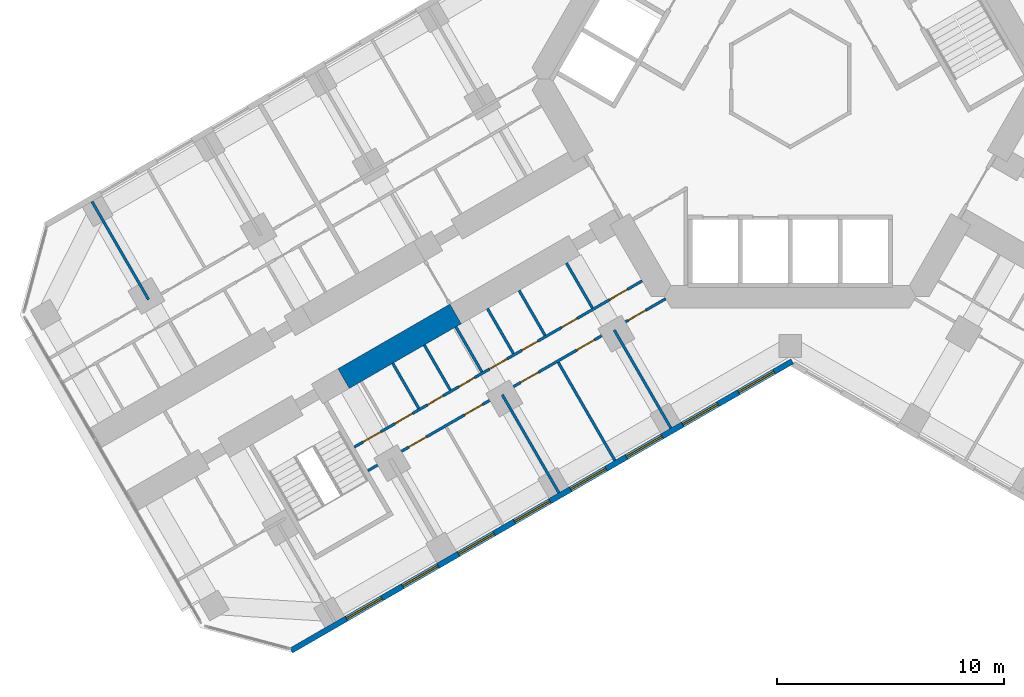
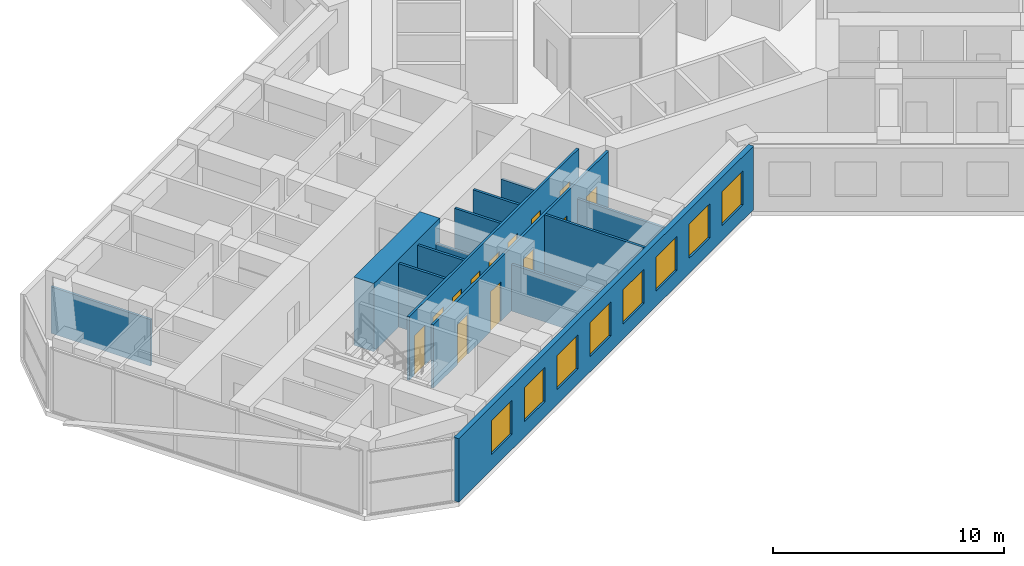
# One storey, part 11 of 21: 14 walls, 13 doors, 8 windows, 21 openings.
"""IFC4 building model written with IfcOpenShell, lengths in metres."""

from ifc_helpers import new_model, si_unit, direction, frame, frame_2d, origin, place, context, subcontext, project, spatial, rectangle, extrude, material, layer, layer_set, type_object, element, fill, save


model = new_model("IFC4")

# Units and contexts
model_context = context("Model", 3, precision=1e-05, world=origin(), true_north=direction((0.0, 1.0)))
body_context = subcontext(model_context, "Body", "Model", "MODEL_VIEW")
ifc_project = project(units=[si_unit("LENGTHUNIT", "METRE"), si_unit("AREAUNIT", "SQUARE_METRE"), si_unit("VOLUMEUNIT", "CUBIC_METRE"), si_unit("PLANEANGLEUNIT", "RADIAN"), si_unit("MASSUNIT", "GRAM", prefix="KILO")], contexts=[model_context])

# Site, building, storey
site_placement = place(None, origin())
site = spatial("IfcSite", under=ifc_project, at=site_placement, CompositionType="ELEMENT")
building_placement = place(site_placement, origin())
building = spatial("IfcBuilding", under=site, at=building_placement, Name="Kosmar Iwan School Tower", CompositionType="ELEMENT")
storey_placement = place(building_placement, frame((0.0, 0.0, 61.0)))
storey = spatial("IfcBuildingStorey", under=building, at=storey_placement, Name="L14", CompositionType="ELEMENT", Elevation=61.0)

# Wall
ifc_material_1 = material(Name="Concrete C50/60", Category="concrete")
ifc_layer_1 = layer(ifc_material_1, 1.0)
ifc_layer_set_1 = layer_set([ifc_layer_1], Name="Corridor buttress wall 1000")
wall_type_1 = type_object("IfcWallType", Name="Corridor buttress wall 1000", PredefinedType="SHEAR", material=ifc_layer_set_1)
wall_1_placement = place(storey_placement, frame((-14.7451171875, -10.360595703125, 0.0), z_axis=(0.0, 0.0, 1.0), x_axis=(-0.866015111908, -0.50001782563, 0.0)))
element("IfcWall", 1, at=wall_1_placement, inside=storey, type_object=wall_type_1, Name="Corridor wall BL bay 2", PredefinedType="SHEAR", context=body_context, shape_type="SweptSolid", body=[
    extrude(rectangle(XDim=5.699951171875, YDim=1.0, at=frame_2d((2.85009765625, 0.0))), origin(), (0.0, 0.0, 1.0), 3.60009765625),
])

# Wall, openings, doors
ifc_material_2 = material(Name="Gypsum board on steel studs", Category="steel")
ifc_layer_2 = layer(ifc_material_2, 0.1201171875)
ifc_layer_set_2 = layer_set([ifc_layer_2], Name="Dwelling partition 120")
wall_type_2 = type_object("IfcWallType", Name="Dwelling partition 120", PredefinedType="PARTITIONING", material=ifc_layer_set_2)
wall_2_placement = place(storey_placement, frame((-6.521728515625, -8.90380859375, 0.0), z_axis=(0.0, 0.0, 1.0), x_axis=(-0.866030734856, -0.4999907662, 0.0)))
wall_2 = element("IfcWall", 2, at=wall_2_placement, inside=storey, type_object=wall_type_2, Name="Partition L14-BL1-W1", PredefinedType="PARTITIONING", context=body_context, shape_type="SweptSolid", body=[
    extrude(rectangle(XDim=14.650146484375, YDim=0.1201171875, at=frame_2d((7.3251953125, 0.0))), origin(), (0.0, 0.0, 1.0), 3.35009765625),
])
opening_1_placement = place(wall_2_placement, frame((0.75, 0.0, 0.0)))
opening_1 = element("IfcOpeningElement", 3, at=opening_1_placement, cuts=wall_2, Name="Opening D2", PredefinedType="OPENING", context=body_context, shape_type="SweptSolid", body=[
    extrude(rectangle(XDim=0.89990234375, YDim=2.10009765625, at=frame_2d((0.449951171875, 1.050048828125))), frame((0.0, 0.072021484375, 0.0), z_axis=(0.0, -1.0, 0.0), x_axis=(1.0, 0.0, 0.0)), (0.0, 0.0, 1.0), 0.14404296875),
])
opening_2_placement = place(wall_2_placement, frame((3.304931640625, 0.0, 0.0)))
opening_2 = element("IfcOpeningElement", 4, at=opening_2_placement, cuts=wall_2, Name="Opening D3", PredefinedType="OPENING", context=body_context, shape_type="SweptSolid", body=[
    extrude(rectangle(XDim=0.800048828125, YDim=2.10009765625, at=frame_2d((0.39990234375, 1.050048828125))), frame((0.0, 0.072021484375, 0.0), z_axis=(0.0, -1.0, 0.0), x_axis=(1.0, 0.0, 0.0)), (0.0, 0.0, 1.0), 0.14404296875),
])
opening_3_placement = place(wall_2_placement, frame((5.313232421875, 0.0, 0.0)))
opening_3 = element("IfcOpeningElement", 5, at=opening_3_placement, cuts=wall_2, Name="Opening D3", PredefinedType="OPENING", context=body_context, shape_type="SweptSolid", body=[
    extrude(rectangle(XDim=0.800048828125, YDim=2.10009765625, at=frame_2d((0.39990234375, 1.050048828125))), frame((0.0, 0.072021484375, 0.0), z_axis=(0.0, -1.0, 0.0), x_axis=(1.0, 0.0, 0.0)), (0.0, 0.0, 1.0), 0.14404296875),
])
opening_4_placement = place(wall_2_placement, frame((6.8701171875, 0.0, 0.0)))
opening_4 = element("IfcOpeningElement", 6, at=opening_4_placement, cuts=wall_2, Name="Opening D2", PredefinedType="OPENING", context=body_context, shape_type="SweptSolid", body=[
    extrude(rectangle(XDim=0.89990234375, YDim=2.10009765625, at=frame_2d((0.449951171875, 1.050048828125))), frame((0.0, 0.072021484375, 0.0), z_axis=(0.0, -1.0, 0.0), x_axis=(1.0, 0.0, 0.0)), (0.0, 0.0, 1.0), 0.14404296875),
])
opening_5_placement = place(wall_2_placement, frame((8.526611328125, 0.0, 0.0)))
opening_5 = element("IfcOpeningElement", 7, at=opening_5_placement, cuts=wall_2, Name="Opening D3", PredefinedType="OPENING", context=body_context, shape_type="SweptSolid", body=[
    extrude(rectangle(XDim=0.800048828125, YDim=2.10009765625, at=frame_2d((0.39990234375, 1.050048828125))), frame((0.0, 0.072021484375, 0.0), z_axis=(0.0, -1.0, 0.0), x_axis=(1.0, 0.0, 0.0)), (0.0, 0.0, 1.0), 0.14404296875),
])
opening_6_placement = place(wall_2_placement, frame((10.13330078125, 0.0, 0.0)))
opening_6 = element("IfcOpeningElement", 8, at=opening_6_placement, cuts=wall_2, Name="Opening D3", PredefinedType="OPENING", context=body_context, shape_type="SweptSolid", body=[
    extrude(rectangle(XDim=0.800048828125, YDim=2.10009765625, at=frame_2d((0.39990234375, 1.050048828125))), frame((0.0, 0.072021484375, 0.0), z_axis=(0.0, -1.0, 0.0), x_axis=(1.0, 0.0, 0.0)), (0.0, 0.0, 1.0), 0.14404296875),
])
opening_7_placement = place(wall_2_placement, frame((11.68994140625, 0.0, 0.0)))
opening_7 = element("IfcOpeningElement", 9, at=opening_7_placement, cuts=wall_2, Name="Opening D2", PredefinedType="OPENING", context=body_context, shape_type="SweptSolid", body=[
    extrude(rectangle(XDim=0.89990234375, YDim=2.10009765625, at=frame_2d((0.449951171875, 1.050048828125))), frame((0.0, 0.072021484375, 0.0), z_axis=(0.0, -1.0, 0.0), x_axis=(1.0, 0.0, 0.0)), (0.0, 0.0, 1.0), 0.14404296875),
])
opening_8_placement = place(wall_2_placement, frame((13.296630859375, 0.0, 0.0)))
opening_8 = element("IfcOpeningElement", 10, at=opening_8_placement, cuts=wall_2, Name="Opening D2", PredefinedType="OPENING", context=body_context, shape_type="SweptSolid", body=[
    extrude(rectangle(XDim=0.89990234375, YDim=2.10009765625, at=frame_2d((0.449951171875, 1.050048828125))), frame((0.0, 0.072021484375, 0.0), z_axis=(0.0, -1.0, 0.0), x_axis=(1.0, 0.0, 0.0)), (0.0, 0.0, 1.0), 0.14404296875),
])
ifc_material_3 = material(Name="Timber door in timber frame", Category="wood")
door_type_1 = type_object("IfcDoorType", Name="Internal door 900x2100", OperationType="SINGLE_SWING_LEFT", PredefinedType="DOOR", material=ifc_material_3)
door_1_placement = place(opening_1_placement, origin())
door_1 = element("IfcDoor", 11, at=door_1_placement, inside=storey, type_object=door_type_1, Name="Entrance hall door L14-BL1-S1", OperationType="SINGLE_SWING_LEFT", OverallHeight=2.10009765625, OverallWidth=0.89990234375, PredefinedType="DOOR", context=body_context, shape_type="SweptSolid", body=[
    extrude(rectangle(XDim=0.89990234375, YDim=2.10009765625, at=frame_2d((0.449951171875, 1.050048828125))), frame((0.0, 0.02490234375, 0.0), z_axis=(0.0, -1.0, 0.0), x_axis=(1.0, 0.0, 0.0)), (0.0, 0.0, 1.0), 0.050048828125),
])
fill(opening_1, door_1)
door_2_placement = place(opening_4_placement, origin())
door_2 = element("IfcDoor", 12, at=door_2_placement, inside=storey, type_object=door_type_1, Name="Pantry door L14-BL1-S4", OperationType="SINGLE_SWING_LEFT", OverallHeight=2.10009765625, OverallWidth=0.89990234375, PredefinedType="DOOR", context=body_context, shape_type="SweptSolid", body=[
    extrude(rectangle(XDim=0.89990234375, YDim=2.10009765625, at=frame_2d((0.449951171875, 1.050048828125))), frame((0.0, 0.02490234375, 0.0), z_axis=(0.0, -1.0, 0.0), x_axis=(1.0, 0.0, 0.0)), (0.0, 0.0, 1.0), 0.050048828125),
])
fill(opening_4, door_2)
door_3_placement = place(opening_7_placement, origin())
door_3 = element("IfcDoor", 13, at=door_3_placement, inside=storey, type_object=door_type_1, Name="Utility room door L14-BL1-S7", OperationType="SINGLE_SWING_RIGHT", OverallHeight=2.10009765625, OverallWidth=0.89990234375, PredefinedType="DOOR", context=body_context, shape_type="SweptSolid", body=[
    extrude(rectangle(XDim=0.89990234375, YDim=2.10009765625, at=frame_2d((0.449951171875, 1.050048828125))), frame((0.0, 0.02490234375, 0.0), z_axis=(0.0, -1.0, 0.0), x_axis=(1.0, 0.0, 0.0)), (0.0, 0.0, 1.0), 0.050048828125),
])
fill(opening_7, door_3)
door_4_placement = place(opening_8_placement, frame((0.89990234375, 0.0, 0.0), z_axis=(0.0, 0.0, 1.0), x_axis=(-1.0, 0.0, 0.0)))
door_4 = element("IfcDoor", 14, at=door_4_placement, inside=storey, type_object=door_type_1, Name="Dressing room door L14-BL1-S8", OperationType="SINGLE_SWING_LEFT", OverallHeight=2.10009765625, OverallWidth=0.89990234375, PredefinedType="DOOR", context=body_context, shape_type="SweptSolid", body=[
    extrude(rectangle(XDim=0.89990234375, YDim=2.10009765625, at=frame_2d((0.449951171875, 1.050048828125))), frame((0.0, 0.02490234375, 0.0), z_axis=(0.0, -1.0, 0.0), x_axis=(1.0, 0.0, 0.0)), (0.0, 0.0, 1.0), 0.050048828125),
])
fill(opening_8, door_4)
ifc_material_4 = material(Name="Timber door in timber frame", Category="wood")
door_type_2 = type_object("IfcDoorType", Name="Sanitary room door 800x2100", OperationType="SINGLE_SWING_LEFT", PredefinedType="DOOR", material=ifc_material_4)
door_5_placement = place(opening_2_placement, origin())
door_5 = element("IfcDoor", 15, at=door_5_placement, inside=storey, type_object=door_type_2, Name="Bathroom door L14-BL1-S2", OperationType="SINGLE_SWING_LEFT", OverallHeight=2.10009765625, OverallWidth=0.800048828125, PredefinedType="DOOR", context=body_context, shape_type="SweptSolid", body=[
    extrude(rectangle(XDim=0.800048828125, YDim=2.10009765625, at=frame_2d((0.39990234375, 1.050048828125))), frame((0.0, 0.02490234375, 0.0), z_axis=(0.0, -1.0, 0.0), x_axis=(1.0, 0.0, 0.0)), (0.0, 0.0, 1.0), 0.050048828125),
])
fill(opening_2, door_5)
door_6_placement = place(opening_3_placement, origin())
door_6 = element("IfcDoor", 16, at=door_6_placement, inside=storey, type_object=door_type_2, Name="Shower room door L14-BL1-S3", OperationType="SINGLE_SWING_LEFT", OverallHeight=2.10009765625, OverallWidth=0.800048828125, PredefinedType="DOOR", context=body_context, shape_type="SweptSolid", body=[
    extrude(rectangle(XDim=0.800048828125, YDim=2.10009765625, at=frame_2d((0.39990234375, 1.050048828125))), frame((0.0, 0.02490234375, 0.0), z_axis=(0.0, -1.0, 0.0), x_axis=(1.0, 0.0, 0.0)), (0.0, 0.0, 1.0), 0.050048828125),
])
fill(opening_3, door_6)
door_7_placement = place(opening_5_placement, origin())
door_7 = element("IfcDoor", 17, at=door_7_placement, inside=storey, type_object=door_type_2, Name="WC door L14-BL1-S5", OperationType="SINGLE_SWING_RIGHT", OverallHeight=2.10009765625, OverallWidth=0.800048828125, PredefinedType="DOOR", context=body_context, shape_type="SweptSolid", body=[
    extrude(rectangle(XDim=0.800048828125, YDim=2.10009765625, at=frame_2d((0.39990234375, 1.050048828125))), frame((0.0, 0.02490234375, 0.0), z_axis=(0.0, -1.0, 0.0), x_axis=(1.0, 0.0, 0.0)), (0.0, 0.0, 1.0), 0.050048828125),
])
fill(opening_5, door_7)
door_8_placement = place(opening_6_placement, origin())
door_8 = element("IfcDoor", 18, at=door_8_placement, inside=storey, type_object=door_type_2, Name="Store door L14-BL1-S6", OperationType="SINGLE_SWING_RIGHT", OverallHeight=2.10009765625, OverallWidth=0.800048828125, PredefinedType="DOOR", context=body_context, shape_type="SweptSolid", body=[
    extrude(rectangle(XDim=0.800048828125, YDim=2.10009765625, at=frame_2d((0.39990234375, 1.050048828125))), frame((0.0, 0.02490234375, 0.0), z_axis=(0.0, -1.0, 0.0), x_axis=(1.0, 0.0, 0.0)), (0.0, 0.0, 1.0), 0.050048828125),
])
fill(opening_6, door_8)

wall_3_placement = place(storey_placement, frame((-5.48876953125, -9.693115234375, 0.0), z_axis=(0.0, 0.0, 1.0), x_axis=(-0.866028061085, -0.499995397393, 0.0)))
wall_3 = element("IfcWall", 19, at=wall_3_placement, inside=storey, type_object=wall_type_2, Name="Partition L14-BL1-W2", PredefinedType="PARTITIONING", context=body_context, shape_type="SweptSolid", body=[
    extrude(rectangle(XDim=15.150146484375, YDim=0.1201171875, at=frame_2d((7.5751953125, 0.0))), origin(), (0.0, 0.0, 1.0), 3.35009765625),
])
opening_9_placement = place(wall_3_placement, frame((1.0, 0.0, 0.0)))
opening_9 = element("IfcOpeningElement", 20, at=opening_9_placement, cuts=wall_3, Name="Opening D2", PredefinedType="OPENING", context=body_context, shape_type="SweptSolid", body=[
    extrude(rectangle(XDim=0.89990234375, YDim=2.10009765625, at=frame_2d((0.449951171875, 1.050048828125))), frame((0.0, 0.072021484375, 0.0), z_axis=(0.0, -1.0, 0.0), x_axis=(1.0, 0.0, 0.0)), (0.0, 0.0, 1.0), 0.14404296875),
])
opening_10_placement = place(wall_3_placement, frame((3.625, 0.0, 0.0)))
opening_10 = element("IfcOpeningElement", 21, at=opening_10_placement, cuts=wall_3, Name="Opening D2", PredefinedType="OPENING", context=body_context, shape_type="SweptSolid", body=[
    extrude(rectangle(XDim=0.89990234375, YDim=2.10009765625, at=frame_2d((0.449951171875, 1.050048828125))), frame((0.0, 0.072021484375, 0.0), z_axis=(0.0, -1.0, 0.0), x_axis=(1.0, 0.0, 0.0)), (0.0, 0.0, 1.0), 0.14404296875),
])
opening_11_placement = place(wall_3_placement, frame((6.47509765625, 0.0, 0.0)))
opening_11 = element("IfcOpeningElement", 22, at=opening_11_placement, cuts=wall_3, Name="Opening D2", PredefinedType="OPENING", context=body_context, shape_type="SweptSolid", body=[
    extrude(rectangle(XDim=0.89990234375, YDim=2.10009765625, at=frame_2d((0.449951171875, 1.050048828125))), frame((0.0, 0.072021484375, 0.0), z_axis=(0.0, -1.0, 0.0), x_axis=(1.0, 0.0, 0.0)), (0.0, 0.0, 1.0), 0.14404296875),
])
opening_12_placement = place(wall_3_placement, frame((9.324951171875, 0.0, 0.0)))
opening_12 = element("IfcOpeningElement", 23, at=opening_12_placement, cuts=wall_3, Name="Opening D2", PredefinedType="OPENING", context=body_context, shape_type="SweptSolid", body=[
    extrude(rectangle(XDim=0.89990234375, YDim=2.10009765625, at=frame_2d((0.449951171875, 1.050048828125))), frame((0.0, 0.072021484375, 0.0), z_axis=(0.0, -1.0, 0.0), x_axis=(1.0, 0.0, 0.0)), (0.0, 0.0, 1.0), 0.14404296875),
])
opening_13_placement = place(wall_3_placement, frame((12.175048828125, 0.0, 0.0)))
opening_13 = element("IfcOpeningElement", 24, at=opening_13_placement, cuts=wall_3, Name="Opening D2", PredefinedType="OPENING", context=body_context, shape_type="SweptSolid", body=[
    extrude(rectangle(XDim=0.89990234375, YDim=2.10009765625, at=frame_2d((0.449951171875, 1.050048828125))), frame((0.0, 0.072021484375, 0.0), z_axis=(0.0, -1.0, 0.0), x_axis=(1.0, 0.0, 0.0)), (0.0, 0.0, 1.0), 0.14404296875),
])
door_9_placement = place(opening_9_placement, origin())
door_9 = element("IfcDoor", 25, at=door_9_placement, inside=storey, type_object=door_type_1, Name="Living room and kitchen door L14-BL1-F1", OperationType="SINGLE_SWING_LEFT", OverallHeight=2.10009765625, OverallWidth=0.89990234375, PredefinedType="DOOR", context=body_context, shape_type="SweptSolid", body=[
    extrude(rectangle(XDim=0.89990234375, YDim=2.10009765625, at=frame_2d((0.449951171875, 1.050048828125))), frame((0.0, 0.02490234375, 0.0), z_axis=(0.0, -1.0, 0.0), x_axis=(1.0, 0.0, 0.0)), (0.0, 0.0, 1.0), 0.050048828125),
])
fill(opening_9, door_9)
door_10_placement = place(opening_10_placement, origin())
door_10 = element("IfcDoor", 26, at=door_10_placement, inside=storey, type_object=door_type_1, Name="Study door L14-BL1-F2", OperationType="SINGLE_SWING_LEFT", OverallHeight=2.10009765625, OverallWidth=0.89990234375, PredefinedType="DOOR", context=body_context, shape_type="SweptSolid", body=[
    extrude(rectangle(XDim=0.89990234375, YDim=2.10009765625, at=frame_2d((0.449951171875, 1.050048828125))), frame((0.0, 0.02490234375, 0.0), z_axis=(0.0, -1.0, 0.0), x_axis=(1.0, 0.0, 0.0)), (0.0, 0.0, 1.0), 0.050048828125),
])
fill(opening_10, door_10)
door_11_placement = place(opening_11_placement, origin())
door_11 = element("IfcDoor", 27, at=door_11_placement, inside=storey, type_object=door_type_1, Name="Bedroom 2 door L14-BL1-F3", OperationType="SINGLE_SWING_RIGHT", OverallHeight=2.10009765625, OverallWidth=0.89990234375, PredefinedType="DOOR", context=body_context, shape_type="SweptSolid", body=[
    extrude(rectangle(XDim=0.89990234375, YDim=2.10009765625, at=frame_2d((0.449951171875, 1.050048828125))), frame((0.0, 0.02490234375, 0.0), z_axis=(0.0, -1.0, 0.0), x_axis=(1.0, 0.0, 0.0)), (0.0, 0.0, 1.0), 0.050048828125),
])
fill(opening_11, door_11)
door_12_placement = place(opening_12_placement, origin())
door_12 = element("IfcDoor", 28, at=door_12_placement, inside=storey, type_object=door_type_1, Name="Study door L14-BL1-F4", OperationType="SINGLE_SWING_LEFT", OverallHeight=2.10009765625, OverallWidth=0.89990234375, PredefinedType="DOOR", context=body_context, shape_type="SweptSolid", body=[
    extrude(rectangle(XDim=0.89990234375, YDim=2.10009765625, at=frame_2d((0.449951171875, 1.050048828125))), frame((0.0, 0.02490234375, 0.0), z_axis=(0.0, -1.0, 0.0), x_axis=(1.0, 0.0, 0.0)), (0.0, 0.0, 1.0), 0.050048828125),
])
fill(opening_12, door_12)
door_13_placement = place(opening_13_placement, origin())
door_13 = element("IfcDoor", 29, at=door_13_placement, inside=storey, type_object=door_type_1, Name="Bedroom 1 door L14-BL1-F5", OperationType="SINGLE_SWING_RIGHT", OverallHeight=2.10009765625, OverallWidth=0.89990234375, PredefinedType="DOOR", context=body_context, shape_type="SweptSolid", body=[
    extrude(rectangle(XDim=0.89990234375, YDim=2.10009765625, at=frame_2d((0.449951171875, 1.050048828125))), frame((0.0, 0.02490234375, 0.0), z_axis=(0.0, -1.0, 0.0), x_axis=(1.0, 0.0, 0.0)), (0.0, 0.0, 1.0), 0.050048828125),
])
fill(opening_13, door_13)

# Walls
wall_4_placement = place(storey_placement, frame((-7.75390625, -11.070068359375, 0.0), z_axis=(0.0, 0.0, 1.0), x_axis=(0.500033033937, -0.866006330792, 0.0)))
element("IfcWall", 30, at=wall_4_placement, inside=storey, type_object=wall_type_2, Name="Partition L14-BL1-X1", PredefinedType="PARTITIONING", context=body_context, shape_type="SweptSolid", body=[
    extrude(rectangle(XDim=4.989990234375, YDim=0.1201171875, at=frame_2d((2.4951171875, 0.0))), origin(), (0.0, 0.0, 1.0), 2.449951171875),
])
wall_5_placement = place(storey_placement, frame((-10.221923828125, -12.4951171875, 0.0), z_axis=(0.0, 0.0, 1.0), x_axis=(0.499996339024, -0.86602751744, 0.0)))
element("IfcWall", 31, at=wall_5_placement, inside=storey, type_object=wall_type_2, Name="Partition L14-BL1-X2", PredefinedType="PARTITIONING", context=body_context, shape_type="SweptSolid", body=[
    extrude(rectangle(XDim=4.98974609375, YDim=0.1201171875, at=frame_2d((2.494873046875, 0.0))), origin(), (0.0, 0.0, 1.0), 3.35009765625),
])
wall_6_placement = place(storey_placement, frame((-12.690185546875, -13.919921875, 0.0), z_axis=(0.0, 0.0, 1.0), x_axis=(0.500011847778, -0.866018563358, 0.0)))
element("IfcWall", 32, at=wall_6_placement, inside=storey, type_object=wall_type_2, Name="Partition L14-BL1-X3", PredefinedType="PARTITIONING", context=body_context, shape_type="SweptSolid", body=[
    extrude(rectangle(XDim=4.990234375, YDim=0.1201171875, at=frame_2d((2.4951171875, 0.0))), origin(), (0.0, 0.0, 1.0), 2.449951171875),
])
wall_7_placement = place(storey_placement, frame((-9.86181640625, -8.11865234375, 0.0), z_axis=(0.0, 0.0, 1.0), x_axis=(0.500014693593, -0.866016920268, 0.0)))
element("IfcWall", 33, at=wall_7_placement, inside=storey, type_object=wall_type_2, Name="Partition L14-BL1-Y1", PredefinedType="PARTITIONING", context=body_context, shape_type="SweptSolid", body=[
    extrude(rectangle(XDim=2.2900390625, YDim=0.1201171875, at=frame_2d((1.14501953125, 0.0))), origin(), (0.0, 0.0, 1.0), 2.449951171875),
])
for number, where, z_axis, x_axis, name in (
    (34, (-11.948974609375, -9.32373046875, 0.0), (0.0, 0.0, 1.0), (0.500014693593, -0.866016920268, 0.0), "Partition L14-BL1-Y2"),
    (35, (-13.340576171875, -10.126953125, 0.0), (0.0, 0.0, 1.0), (0.500014693593, -0.866016920268, 0.0), "Partition L14-BL1-Y3"),
):
    element("IfcWall", number, at=place(storey_placement, frame(where, z_axis=z_axis, x_axis=x_axis)), inside=storey, type_object=wall_type_2, Name=name, PredefinedType="PARTITIONING", context=body_context, shape_type="SweptSolid", body=[
        extrude(rectangle(XDim=2.2900390625, YDim=0.1201171875, at=frame_2d((1.14501953125, 0.0))), origin(), (0.0, 0.0, 1.0), 3.35009765625),
    ])
wall_8_placement = place(storey_placement, frame((-14.73193359375, -10.930419921875, 0.0), z_axis=(0.0, 0.0, 1.0), x_axis=(0.500014693593, -0.866016920268, 0.0)))
element("IfcWall", 36, at=wall_8_placement, inside=storey, type_object=wall_type_2, Name="Partition L14-BL1-Y4", PredefinedType="PARTITIONING", context=body_context, shape_type="SweptSolid", body=[
    extrude(rectangle(XDim=2.2900390625, YDim=0.1201171875, at=frame_2d((1.14501953125, 0.0))), origin(), (0.0, 0.0, 1.0), 2.449951171875),
])
wall_9_placement = place(storey_placement, frame((-16.123291015625, -11.733642578125, 0.0), z_axis=(0.0, 0.0, 1.0), x_axis=(0.500014693593, -0.866016920268, 0.0)))
element("IfcWall", 37, at=wall_9_placement, inside=storey, type_object=wall_type_2, Name="Partition L14-BL1-Y5", PredefinedType="PARTITIONING", context=body_context, shape_type="SweptSolid", body=[
    extrude(rectangle(XDim=2.2900390625, YDim=0.1201171875, at=frame_2d((1.14501953125, 0.0))), origin(), (0.0, 0.0, 1.0), 3.35009765625),
])
wall_10_placement = place(storey_placement, frame((-17.5146484375, -12.536865234375, 0.0), z_axis=(0.0, 0.0, 1.0), x_axis=(0.499968531483, -0.866043571379, 0.0)))
element("IfcWall", 38, at=wall_10_placement, inside=storey, type_object=wall_type_2, Name="Partition L14-BL1-Y6", PredefinedType="PARTITIONING", context=body_context, shape_type="SweptSolid", body=[
    extrude(rectangle(XDim=2.290283203125, YDim=0.1201171875, at=frame_2d((1.14501953125, 0.0))), origin(), (0.0, 0.0, 1.0), 3.35009765625),
])
wall_11_placement = place(storey_placement, frame((-28.27294921875, -9.72998046875, 0.0), z_axis=(0.0, 0.0, 1.0), x_axis=(-0.499975153383, 0.86603974851, 0.0)))
element("IfcWall", 39, at=wall_11_placement, inside=storey, type_object=wall_type_2, Name="Partition L14-BR2-X3", PredefinedType="PARTITIONING", context=body_context, shape_type="SweptSolid", body=[
    extrude(rectangle(XDim=4.989990234375, YDim=0.1201171875, at=frame_2d((2.4951171875, 0.0))), origin(), (0.0, 0.0, 1.0), 2.449951171875),
])

# Wall, openings, windows
ifc_material_5 = material(Name="Black aluminium rainscreen on insulated framing", Category="aluminium")
ifc_layer_3 = layer(ifc_material_5, 0.25)
ifc_layer_set_3 = layer_set([ifc_layer_3], Name="External wall rainscreen 250")
wall_type_3 = type_object("IfcWallType", Name="External wall rainscreen 250", PredefinedType="SOLIDWALL", material=ifc_layer_set_3)
wall_12_placement = place(storey_placement, frame((0.088134765625, -12.44873046875, 0.0), z_axis=(0.0, 0.0, 1.0), x_axis=(-0.866026390279, -0.499998291337, 0.0)))
wall_12 = element("IfcWall", 40, at=wall_12_placement, inside=storey, type_object=wall_type_3, Name="External wall BL L14", PredefinedType="SOLIDWALL", context=body_context, shape_type="SweptSolid", body=[
    extrude(rectangle(XDim=25.4873046875, YDim=0.25, at=frame_2d((12.74365234375, 0.0))), origin(), (0.0, 0.0, 1.0), 3.35009765625),
])
opening_14_placement = place(wall_12_placement, frame((0.927001953125, 0.0, 0.800048828125)))
opening_14 = element("IfcOpeningElement", 41, at=opening_14_placement, cuts=wall_12, Name="Opening W1", PredefinedType="OPENING", context=body_context, shape_type="SweptSolid", body=[
    extrude(rectangle(XDim=1.800048828125, YDim=1.800048828125, at=frame_2d((0.89990234375, 0.89990234375))), frame((0.0, 0.136962890625, 0.0), z_axis=(0.0, -1.0, 0.0), x_axis=(1.0, 0.0, 0.0)), (0.0, 0.0, 1.0), 0.27392578125),
])
opening_15_placement = place(wall_12_placement, frame((3.777099609375, 0.0, 0.800048828125)))
opening_15 = element("IfcOpeningElement", 42, at=opening_15_placement, cuts=wall_12, Name="Opening W1", PredefinedType="OPENING", context=body_context, shape_type="SweptSolid", body=[
    extrude(rectangle(XDim=1.800048828125, YDim=1.800048828125, at=frame_2d((0.89990234375, 0.89990234375))), frame((0.0, 0.136962890625, 0.0), z_axis=(0.0, -1.0, 0.0), x_axis=(1.0, 0.0, 0.0)), (0.0, 0.0, 1.0), 0.27392578125),
])
opening_16_placement = place(wall_12_placement, frame((6.626953125, 0.0, 0.800048828125)))
opening_16 = element("IfcOpeningElement", 43, at=opening_16_placement, cuts=wall_12, Name="Opening W1", PredefinedType="OPENING", context=body_context, shape_type="SweptSolid", body=[
    extrude(rectangle(XDim=1.800048828125, YDim=1.800048828125, at=frame_2d((0.89990234375, 0.89990234375))), frame((0.0, 0.136962890625, 0.0), z_axis=(0.0, -1.0, 0.0), x_axis=(1.0, 0.0, 0.0)), (0.0, 0.0, 1.0), 0.27392578125),
])
opening_17_placement = place(wall_12_placement, frame((9.47705078125, 0.0, 0.800048828125)))
opening_17 = element("IfcOpeningElement", 44, at=opening_17_placement, cuts=wall_12, Name="Opening W1", PredefinedType="OPENING", context=body_context, shape_type="SweptSolid", body=[
    extrude(rectangle(XDim=1.800048828125, YDim=1.800048828125, at=frame_2d((0.89990234375, 0.89990234375))), frame((0.0, 0.136962890625, 0.0), z_axis=(0.0, -1.0, 0.0), x_axis=(1.0, 0.0, 0.0)), (0.0, 0.0, 1.0), 0.27392578125),
])
opening_18_placement = place(wall_12_placement, frame((12.326904296875, 0.0, 0.800048828125)))
opening_18 = element("IfcOpeningElement", 45, at=opening_18_placement, cuts=wall_12, Name="Opening W1", PredefinedType="OPENING", context=body_context, shape_type="SweptSolid", body=[
    extrude(rectangle(XDim=1.800048828125, YDim=1.800048828125, at=frame_2d((0.89990234375, 0.89990234375))), frame((0.0, 0.136962890625, 0.0), z_axis=(0.0, -1.0, 0.0), x_axis=(1.0, 0.0, 0.0)), (0.0, 0.0, 1.0), 0.27392578125),
])
opening_19_placement = place(wall_12_placement, frame((15.177001953125, 0.0, 0.800048828125)))
opening_19 = element("IfcOpeningElement", 46, at=opening_19_placement, cuts=wall_12, Name="Opening W1", PredefinedType="OPENING", context=body_context, shape_type="SweptSolid", body=[
    extrude(rectangle(XDim=1.800048828125, YDim=1.800048828125, at=frame_2d((0.89990234375, 0.89990234375))), frame((0.0, 0.136962890625, 0.0), z_axis=(0.0, -1.0, 0.0), x_axis=(1.0, 0.0, 0.0)), (0.0, 0.0, 1.0), 0.27392578125),
])
opening_20_placement = place(wall_12_placement, frame((18.027099609375, 0.0, 0.800048828125)))
opening_20 = element("IfcOpeningElement", 47, at=opening_20_placement, cuts=wall_12, Name="Opening W1", PredefinedType="OPENING", context=body_context, shape_type="SweptSolid", body=[
    extrude(rectangle(XDim=1.800048828125, YDim=1.800048828125, at=frame_2d((0.89990234375, 0.89990234375))), frame((0.0, 0.136962890625, 0.0), z_axis=(0.0, -1.0, 0.0), x_axis=(1.0, 0.0, 0.0)), (0.0, 0.0, 1.0), 0.27392578125),
])
opening_21_placement = place(wall_12_placement, frame((20.876953125, 0.0, 0.800048828125)))
opening_21 = element("IfcOpeningElement", 48, at=opening_21_placement, cuts=wall_12, Name="Opening W1", PredefinedType="OPENING", context=body_context, shape_type="SweptSolid", body=[
    extrude(rectangle(XDim=1.800048828125, YDim=1.800048828125, at=frame_2d((0.89990234375, 0.89990234375))), frame((0.0, 0.136962890625, 0.0), z_axis=(0.0, -1.0, 0.0), x_axis=(1.0, 0.0, 0.0)), (0.0, 0.0, 1.0), 0.27392578125),
])
ifc_material_6 = material(Name="Black aluminium frame with dark triple glazing", Category="aluminium")
window_type = type_object("IfcWindowType", Name="Window 1800x1800", PartitioningType="SINGLE_PANEL", PredefinedType="WINDOW", material=ifc_material_6)
window_1_placement = place(opening_14_placement, origin())
window_1 = element("IfcWindow", 49, at=window_1_placement, inside=storey, type_object=window_type, Name="Window BL L14 -1", OverallHeight=1.800048828125, OverallWidth=1.800048828125, PartitioningType="SINGLE_PANEL", PredefinedType="WINDOW", context=body_context, shape_type="SweptSolid", body=[
    extrude(rectangle(XDim=1.800048828125, YDim=1.800048828125, at=frame_2d((0.89990234375, 0.89990234375))), frame((0.0, 0.030029296875, 0.0), z_axis=(0.0, -1.0, 0.0), x_axis=(1.0, 0.0, 0.0)), (0.0, 0.0, 1.0), 0.06005859375),
])
fill(opening_14, window_1)
window_2_placement = place(opening_15_placement, origin())
window_2 = element("IfcWindow", 50, at=window_2_placement, inside=storey, type_object=window_type, Name="Window BL L14 0", OverallHeight=1.800048828125, OverallWidth=1.800048828125, PartitioningType="SINGLE_PANEL", PredefinedType="WINDOW", context=body_context, shape_type="SweptSolid", body=[
    extrude(rectangle(XDim=1.800048828125, YDim=1.800048828125, at=frame_2d((0.89990234375, 0.89990234375))), frame((0.0, 0.030029296875, 0.0), z_axis=(0.0, -1.0, 0.0), x_axis=(1.0, 0.0, 0.0)), (0.0, 0.0, 1.0), 0.06005859375),
])
fill(opening_15, window_2)
window_3_placement = place(opening_16_placement, origin())
window_3 = element("IfcWindow", 51, at=window_3_placement, inside=storey, type_object=window_type, Name="Window BL L14 1", OverallHeight=1.800048828125, OverallWidth=1.800048828125, PartitioningType="SINGLE_PANEL", PredefinedType="WINDOW", context=body_context, shape_type="SweptSolid", body=[
    extrude(rectangle(XDim=1.800048828125, YDim=1.800048828125, at=frame_2d((0.89990234375, 0.89990234375))), frame((0.0, 0.030029296875, 0.0), z_axis=(0.0, -1.0, 0.0), x_axis=(1.0, 0.0, 0.0)), (0.0, 0.0, 1.0), 0.06005859375),
])
fill(opening_16, window_3)
window_4_placement = place(opening_17_placement, origin())
window_4 = element("IfcWindow", 52, at=window_4_placement, inside=storey, type_object=window_type, Name="Window BL L14 2", OverallHeight=1.800048828125, OverallWidth=1.800048828125, PartitioningType="SINGLE_PANEL", PredefinedType="WINDOW", context=body_context, shape_type="SweptSolid", body=[
    extrude(rectangle(XDim=1.800048828125, YDim=1.800048828125, at=frame_2d((0.89990234375, 0.89990234375))), frame((0.0, 0.030029296875, 0.0), z_axis=(0.0, -1.0, 0.0), x_axis=(1.0, 0.0, 0.0)), (0.0, 0.0, 1.0), 0.06005859375),
])
fill(opening_17, window_4)
window_5_placement = place(opening_18_placement, origin())
window_5 = element("IfcWindow", 53, at=window_5_placement, inside=storey, type_object=window_type, Name="Window BL L14 3", OverallHeight=1.800048828125, OverallWidth=1.800048828125, PartitioningType="SINGLE_PANEL", PredefinedType="WINDOW", context=body_context, shape_type="SweptSolid", body=[
    extrude(rectangle(XDim=1.800048828125, YDim=1.800048828125, at=frame_2d((0.89990234375, 0.89990234375))), frame((0.0, 0.030029296875, 0.0), z_axis=(0.0, -1.0, 0.0), x_axis=(1.0, 0.0, 0.0)), (0.0, 0.0, 1.0), 0.06005859375),
])
fill(opening_18, window_5)
window_6_placement = place(opening_19_placement, origin())
window_6 = element("IfcWindow", 54, at=window_6_placement, inside=storey, type_object=window_type, Name="Window BL L14 4", OverallHeight=1.800048828125, OverallWidth=1.800048828125, PartitioningType="SINGLE_PANEL", PredefinedType="WINDOW", context=body_context, shape_type="SweptSolid", body=[
    extrude(rectangle(XDim=1.800048828125, YDim=1.800048828125, at=frame_2d((0.89990234375, 0.89990234375))), frame((0.0, 0.030029296875, 0.0), z_axis=(0.0, -1.0, 0.0), x_axis=(1.0, 0.0, 0.0)), (0.0, 0.0, 1.0), 0.06005859375),
])
fill(opening_19, window_6)
window_7_placement = place(opening_20_placement, origin())
window_7 = element("IfcWindow", 55, at=window_7_placement, inside=storey, type_object=window_type, Name="Window BL L14 5", OverallHeight=1.800048828125, OverallWidth=1.800048828125, PartitioningType="SINGLE_PANEL", PredefinedType="WINDOW", context=body_context, shape_type="SweptSolid", body=[
    extrude(rectangle(XDim=1.800048828125, YDim=1.800048828125, at=frame_2d((0.89990234375, 0.89990234375))), frame((0.0, 0.030029296875, 0.0), z_axis=(0.0, -1.0, 0.0), x_axis=(1.0, 0.0, 0.0)), (0.0, 0.0, 1.0), 0.06005859375),
])
fill(opening_20, window_7)
window_8_placement = place(opening_21_placement, origin())
window_8 = element("IfcWindow", 56, at=window_8_placement, inside=storey, type_object=window_type, Name="Window BL L14 6", OverallHeight=1.800048828125, OverallWidth=1.800048828125, PartitioningType="SINGLE_PANEL", PredefinedType="WINDOW", context=body_context, shape_type="SweptSolid", body=[
    extrude(rectangle(XDim=1.800048828125, YDim=1.800048828125, at=frame_2d((0.89990234375, 0.89990234375))), frame((0.0, 0.030029296875, 0.0), z_axis=(0.0, -1.0, 0.0), x_axis=(1.0, 0.0, 0.0)), (0.0, 0.0, 1.0), 0.06005859375),
])
fill(opening_21, window_8)

save(model, "model.ifc")
